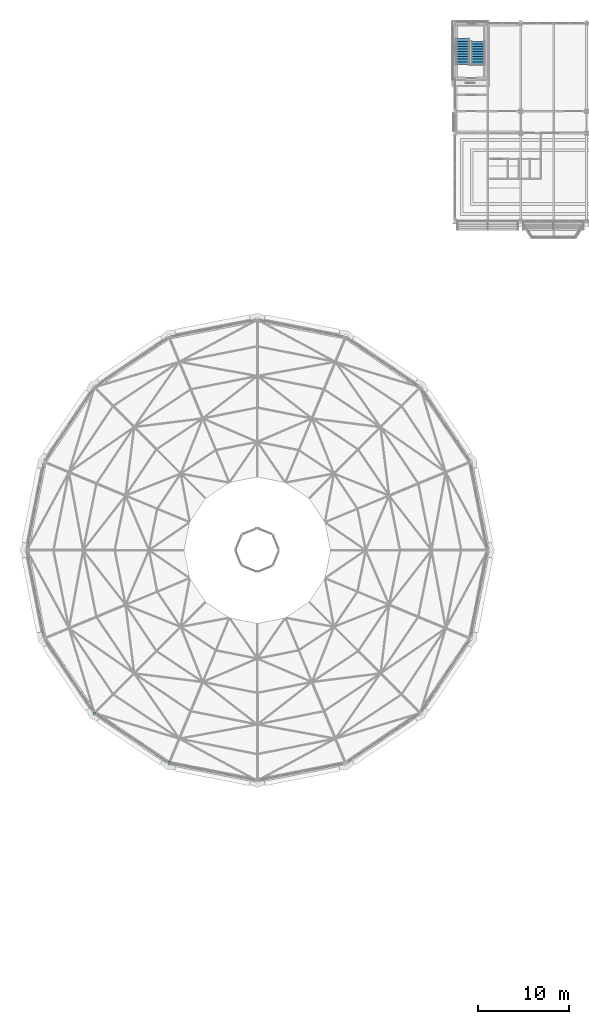
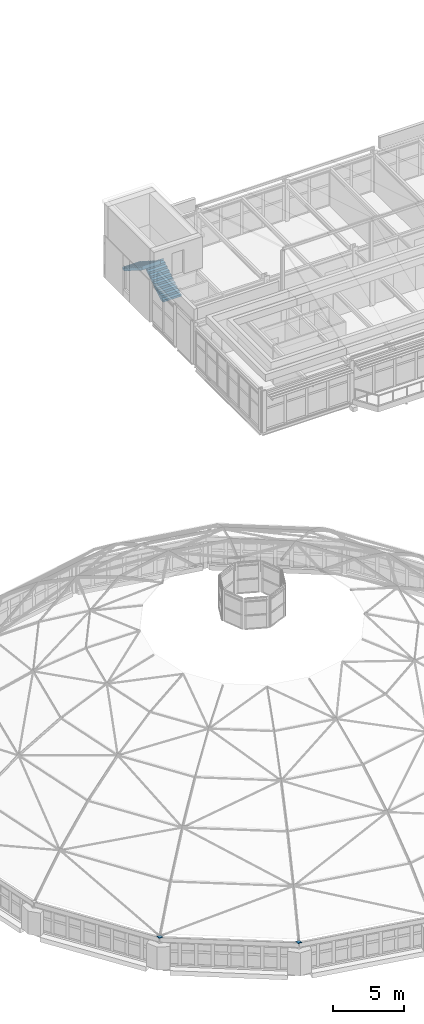
# One storey, part 53 of 68: 2 discrete accessories, 2 stair flights, 1 element without a shape of its own.
"""IFC4 building model written with IfcOpenShell, lengths in metres."""

from ifc_helpers import new_model, si_unit, direction, frame, origin, origin_2d, place, context, subcontext, project, spatial, polyline, rectangle, outline, extrude, material, layer, layer_set, type_object, element, aggregate, save


model = new_model("IFC4")

# Units and contexts
model_context = context("Model", 3, precision=1e-05, world=origin(), true_north=direction((0.0, 1.0)))
body_context = subcontext(model_context, "Body", "Model", "MODEL_VIEW")
ifc_project = project(units=[si_unit("LENGTHUNIT", "METRE"), si_unit("AREAUNIT", "SQUARE_METRE"), si_unit("VOLUMEUNIT", "CUBIC_METRE"), si_unit("PLANEANGLEUNIT", "RADIAN"), si_unit("MASSUNIT", "GRAM", prefix="KILO")], contexts=[model_context])

# Site, building, storey
site_placement = place(None, origin())
site = spatial("IfcSite", under=ifc_project, at=site_placement, CompositionType="ELEMENT")
building_placement = place(site_placement, origin())
building = spatial("IfcBuilding", under=site, at=building_placement, Name="Kupolbacken Congress Centre", CompositionType="ELEMENT")
storey_placement = place(building_placement, frame((0.0, 0.0, 25.199951171875)))
storey = spatial("IfcBuildingStorey", under=building, at=storey_placement, Name="L07", CompositionType="ELEMENT", Elevation=25.199951171875)

# Stair, stair flights
ifc_material_1 = material(Name="Steel S355", Category="steel")
stair_type = type_object("IfcStairType", Name="ST2 stair 1500", PredefinedType="TWO_STRAIGHT_RUN_STAIR", material=ifc_material_1)
stair_placement = place(storey_placement, origin())
stair = element("IfcStair", 1, at=stair_placement, inside=storey, type_object=stair_type, Name="C/stair/TS3/L07", PredefinedType="NOTDEFINED")
ifc_material_2 = material(Name="Steel S355", Category="steel")
stair_flight_type_1 = type_object("IfcStairFlightType", Name="FL19 stair flight 1500 x 10 risers of 177.1", PredefinedType="STRAIGHT", material=ifc_material_2)
stair_flight_1_placement = place(storey_placement, frame((67.35009765625, 139.530029296875, 0.0), z_axis=(0.0, 0.0, 1.0), x_axis=(0.0, 1.0, 0.0)))
stair_flight_1 = element("IfcStairFlight", 2, at=stair_flight_1_placement, type_object=stair_flight_type_1, Name="TS3 flight 1", NumberOfRisers=10, NumberOfTreads=9, PredefinedType="STRAIGHT", RiserHeight=0.177142857, TreadLength=0.28, context=body_context, shape_type="SweptSolid", body=[
    extrude(outline(polyline([(0.0, 0.0), (0.0, 0.001220703125), (0.0, 0.002197265625), (0.0, 0.00341796875), (0.0, 0.00439453125), (0.0, 0.005615234375), (0.0, 0.006591796875), (0.0, 0.0078125), (0.0, 0.0087890625), (0.0, 0.010009765625), (0.0, 0.010986328125), (0.0, 0.01220703125), (0.0, 0.01318359375), (0.0, 0.014404296875), (0.0, 0.015380859375), (0.0, 0.0166015625), (0.0, 0.017578125), (0.0, 0.018798828125), (0.0, 0.019775390625), (0.0, 0.02099609375), (0.0, 0.02197265625), (0.0, 0.023193359375), (0.0, 0.024169921875), (0.0, 0.025390625), (0.0, 0.0263671875), (0.0, 0.027587890625), (0.0, 0.028564453125), (0.0, 0.02978515625), (0.0, 0.03076171875), (0.0, 0.031982421875), (0.0, 0.032958984375), (0.0, 0.0341796875), (0.0, 0.03515625), (0.0, 0.036376953125), (0.0, 0.037353515625), (0.0, 0.03857421875), (0.0, 0.03955078125), (0.0, 0.040771484375), (0.0, 0.041748046875), (0.0, 0.04296875), (0.0, 0.0439453125), (0.0, 0.045166015625), (0.0, 0.046142578125), (0.0, 0.04736328125), (0.0, 0.04833984375), (0.0, 0.049560546875), (0.0, 0.050537109375), (0.0, 0.0517578125), (0.0, 0.052734375), (0.0, 0.053955078125), (0.0, 0.054931640625), (0.0, 0.05615234375), (0.0, 0.05712890625), (0.0, 0.058349609375), (0.0, 0.059326171875), (0.0, 0.060546875), (0.0, 0.0615234375), (0.0, 0.062744140625), (0.0, 0.063720703125), (0.0, 0.06494140625), (0.0, 0.06591796875), (0.0, 0.067138671875), (0.0, 0.068115234375), (0.0, 0.0693359375), (0.0, 0.0703125), (0.0, 0.071533203125), (0.0, 0.072509765625), (0.0, 0.07373046875), (0.0, 0.07470703125), (0.0, 0.075927734375), (0.0, 0.076904296875), (0.0, 0.078125), (0.0, 0.0791015625), (0.0, 0.080322265625), (0.0, 0.081298828125), (0.0, 0.08251953125), (0.0, 0.083740234375), (0.0, 0.084716796875), (0.0, 0.0859375), (0.0, 0.0869140625), (0.0, 0.088134765625), (0.0, 0.089111328125), (0.0, 0.09033203125), (0.0, 0.09130859375), (0.0, 0.092529296875), (0.0, 0.093505859375), (0.0, 0.0947265625), (0.0, 0.095703125), (0.0, 0.096923828125), (0.0, 0.097900390625), (0.0, 0.09912109375), (0.0, 0.10009765625), (0.0, 0.101318359375), (0.0, 0.102294921875), (0.0, 0.103515625), (0.0, 0.1044921875), (0.0, 0.105712890625), (0.0, 0.106689453125), (0.0, 0.10791015625), (0.0, 0.10888671875), (0.0, 0.110107421875), (0.0, 0.111083984375), (0.0, 0.1123046875), (0.0, 0.11328125), (0.0, 0.114501953125), (0.0, 0.115478515625), (0.0, 0.11669921875), (0.0, 0.11767578125), (0.0, 0.118896484375), (0.0, 0.119873046875), (0.0, 0.12109375), (0.0, 0.1220703125), (0.0, 0.123291015625), (0.0, 0.124267578125), (0.0, 0.12548828125), (0.0, 0.12646484375), (0.0, 0.127685546875), (0.0, 0.128662109375), (0.0, 0.1298828125), (0.0, 0.130859375), (0.0, 0.132080078125), (0.0, 0.133056640625), (0.0, 0.13427734375), (0.0, 0.13525390625), (0.0, 0.136474609375), (0.0, 0.137451171875), (0.0, 0.138671875), (0.0, 0.1396484375), (0.0, 0.140869140625), (0.0, 0.141845703125), (0.0, 0.14306640625), (0.0, 0.14404296875), (0.0, 0.145263671875), (0.0, 0.146240234375), (0.0, 0.1474609375), (0.0, 0.1484375), (0.0, 0.149658203125), (0.0, 0.150634765625), (0.0, 0.15185546875), (0.0, 0.15283203125), (0.0, 0.154052734375), (0.0, 0.155029296875), (0.0, 0.15625), (0.0, 0.1572265625), (0.0, 0.158447265625), (0.0, 0.159423828125), (0.0, 0.16064453125), (0.0, 0.16162109375), (0.0, 0.162841796875), (0.0, 0.163818359375), (0.0, 0.1650390625), (0.0, 0.166259765625), (0.0, 0.167236328125), (0.0, 0.16845703125), (0.0, 0.16943359375), (0.0, 0.170654296875), (0.0, 0.171630859375), (0.0, 0.1728515625), (0.0, 0.173828125), (0.0, 0.175048828125), (0.0, 0.176025390625), (0.0, 0.17724609375), (0.280029296875, 0.17724609375), (0.280029296875, 0.354248046875), (0.56005859375, 0.354248046875), (0.56005859375, 0.531494140625), (0.840087890625, 0.531494140625), (0.840087890625, 0.70849609375), (1.1201171875, 0.70849609375), (1.1201171875, 0.8857421875), (1.39990234375, 0.8857421875), (1.39990234375, 1.062744140625), (1.679931640625, 1.062744140625), (1.679931640625, 1.239990234375), (1.9599609375, 1.239990234375), (1.9599609375, 1.417236328125), (2.239990234375, 1.417236328125), (2.239990234375, 1.59423828125), (2.52001953125, 1.59423828125), (2.52001953125, 1.771484375), (2.52197265625, 1.771484375), (2.52197265625, 1.769287109375), (2.52197265625, 1.76708984375), (2.52197265625, 1.764892578125), (2.52197265625, 1.7626953125), (2.52197265625, 1.760498046875), (2.52197265625, 1.75830078125), (2.52197265625, 1.756103515625), (2.52197265625, 1.75390625), (2.52197265625, 1.751708984375), (2.52197265625, 1.74951171875), (2.52197265625, 1.747314453125), (2.52197265625, 1.7451171875), (2.52197265625, 1.742919921875), (2.52197265625, 1.740478515625), (2.52197265625, 1.73828125), (2.52197265625, 1.736083984375), (2.52197265625, 1.73388671875), (2.52197265625, 1.731689453125), (2.52197265625, 1.7294921875), (2.52197265625, 1.727294921875), (2.52197265625, 1.72509765625), (2.52197265625, 1.722900390625), (2.52197265625, 1.720703125), (2.52197265625, 1.718505859375), (2.52197265625, 1.71630859375), (2.52197265625, 1.714111328125), (2.52197265625, 1.7119140625), (2.52197265625, 1.709716796875), (2.52197265625, 1.70751953125), (2.52197265625, 1.705322265625), (2.52197265625, 1.703125), (2.52197265625, 1.700927734375), (2.52197265625, 1.69873046875), (2.52197265625, 1.696533203125), (2.52197265625, 1.6943359375), (2.52197265625, 1.692138671875), (2.52197265625, 1.68994140625), (2.52197265625, 1.687744140625), (2.52197265625, 1.685546875), (2.52197265625, 1.683349609375), (2.52197265625, 1.68115234375), (2.52197265625, 1.678955078125), (2.52197265625, 1.6767578125), (2.52197265625, 1.674560546875), (2.52197265625, 1.67236328125), (2.52197265625, 1.670166015625), (2.52197265625, 1.66796875), (2.52197265625, 1.665771484375), (2.52197265625, 1.66357421875), (2.52197265625, 1.661376953125), (2.52197265625, 1.6591796875), (2.52197265625, 1.656982421875), (2.52197265625, 1.65478515625), (2.52197265625, 1.652587890625), (2.52197265625, 1.650390625), (2.52197265625, 1.648193359375), (2.52197265625, 1.64599609375), (2.52197265625, 1.643798828125), (2.52197265625, 1.6416015625), (2.52197265625, 1.639404296875), (2.52197265625, 1.63720703125), (2.52197265625, 1.635009765625), (2.52197265625, 1.6328125), (2.52197265625, 1.630615234375), (2.52197265625, 1.62841796875), (2.52197265625, 1.6259765625), (2.52197265625, 1.623779296875), (2.52197265625, 1.62158203125), (2.52197265625, 1.619384765625), (2.52197265625, 1.6171875), (2.52197265625, 1.614990234375), (2.52197265625, 1.61279296875), (2.52197265625, 1.610595703125), (2.52197265625, 1.6083984375), (2.52197265625, 1.606201171875), (2.52197265625, 1.60400390625), (2.52197265625, 1.601806640625), (2.52197265625, 1.599609375), (2.52197265625, 1.597412109375), (2.52197265625, 1.59521484375), (2.52197265625, 1.593017578125), (2.52197265625, 1.5908203125), (2.52197265625, 1.588623046875), (2.52197265625, 1.58642578125), (2.52197265625, 1.584228515625), (2.52197265625, 1.58203125), (2.52197265625, 1.579833984375), (2.52197265625, 1.57763671875), (2.52197265625, 1.575439453125), (2.52197265625, 1.5732421875), (2.52197265625, 1.571044921875), (2.52197265625, 1.56884765625), (2.52197265625, 1.566650390625), (2.52197265625, 1.564453125), (2.52197265625, 1.562255859375), (2.52197265625, 1.56005859375), (2.52197265625, 1.557861328125), (2.52197265625, 1.5556640625), (2.52197265625, 1.553466796875), (2.52197265625, 1.55126953125), (2.52197265625, 1.549072265625), (2.52197265625, 1.546875), (2.52197265625, 1.544677734375), (2.52197265625, 1.54248046875), (2.52197265625, 1.540283203125), (2.52197265625, 1.5380859375), (2.52197265625, 1.535888671875), (2.52197265625, 1.53369140625), (2.52197265625, 1.531494140625), (2.52197265625, 1.529296875), (2.52197265625, 1.527099609375), (2.52197265625, 1.52490234375), (2.52197265625, 1.522705078125), (2.52197265625, 1.5205078125), (2.52197265625, 1.518310546875), (2.52197265625, 1.51611328125), (2.52197265625, 1.513671875), (2.52197265625, 1.511474609375), (2.52197265625, 1.50927734375), (2.52197265625, 1.507080078125), (2.52197265625, 1.5048828125), (2.52197265625, 1.502685546875), (2.52197265625, 1.50048828125), (2.52197265625, 1.498291015625), (2.52197265625, 1.49609375), (2.52197265625, 1.493896484375), (2.52197265625, 1.49169921875), (2.52197265625, 1.489501953125), (2.52197265625, 1.4873046875), (2.52197265625, 1.485107421875), (2.52197265625, 1.48291015625), (2.52197265625, 1.480712890625), (2.52197265625, 1.478515625), (2.52197265625, 1.476318359375), (2.52197265625, 1.47412109375), (2.52197265625, 1.471923828125), (2.52197265625, 1.4697265625), (2.52197265625, 1.467529296875), (2.52197265625, 1.46533203125), (2.52197265625, 1.463134765625), (2.52197265625, 1.4609375), (2.52197265625, 1.458740234375), (2.52197265625, 1.45654296875), (2.52197265625, 1.454345703125), (2.52197265625, 1.4521484375), (2.52197265625, 1.449951171875), (2.52197265625, 1.44775390625), (2.52197265625, 1.445556640625), (2.52197265625, 1.443359375), (2.52197265625, 1.441162109375), (2.52197265625, 1.43896484375), (2.52197265625, 1.436767578125), (2.52197265625, 1.4345703125), (2.52197265625, 1.432373046875), (2.52197265625, 1.43017578125), (2.52197265625, 1.427978515625), (2.52197265625, 1.42578125), (2.52197265625, 1.423583984375), (2.52197265625, 1.42138671875), (2.52197265625, 1.419189453125), (2.52197265625, 1.4169921875), (0.282470703125, 0.0), (0.0, 0.0)])), frame((0.0, 0.75, 0.0), z_axis=(0.0, -1.0, 0.0), x_axis=(1.0, 0.0, 0.0)), (0.0, 0.0, 1.0), 1.5),
])
ifc_material_3 = material(Name="Steel S355", Category="steel")
stair_flight_type_2 = type_object("IfcStairFlightType", Name="FL20 stair flight 1500 x 11 risers of 177.1", PredefinedType="STRAIGHT", material=ifc_material_3)
stair_flight_2_placement = place(storey_placement, frame((65.64990234375, 142.330078125, 1.771484375), z_axis=(0.0, 0.0, 1.0), x_axis=(0.0, -1.0, 0.0)))
stair_flight_2 = element("IfcStairFlight", 3, at=stair_flight_2_placement, type_object=stair_flight_type_2, Name="TS3 flight 2", NumberOfRisers=11, NumberOfTreads=10, PredefinedType="STRAIGHT", RiserHeight=0.177142857, TreadLength=0.28, context=body_context, shape_type="SweptSolid", body=[
    extrude(outline(polyline([(0.0, 0.0), (0.0, 0.001220703125), (0.0, 0.002197265625), (0.0, 0.00341796875), (0.0, 0.00439453125), (0.0, 0.005615234375), (0.0, 0.006591796875), (0.0, 0.0078125), (0.0, 0.0087890625), (0.0, 0.010009765625), (0.0, 0.010986328125), (0.0, 0.01220703125), (0.0, 0.01318359375), (0.0, 0.014404296875), (0.0, 0.015380859375), (0.0, 0.0166015625), (0.0, 0.017578125), (0.0, 0.018798828125), (0.0, 0.019775390625), (0.0, 0.02099609375), (0.0, 0.02197265625), (0.0, 0.023193359375), (0.0, 0.024169921875), (0.0, 0.025390625), (0.0, 0.0263671875), (0.0, 0.027587890625), (0.0, 0.028564453125), (0.0, 0.02978515625), (0.0, 0.03076171875), (0.0, 0.031982421875), (0.0, 0.032958984375), (0.0, 0.0341796875), (0.0, 0.03515625), (0.0, 0.036376953125), (0.0, 0.037353515625), (0.0, 0.03857421875), (0.0, 0.03955078125), (0.0, 0.040771484375), (0.0, 0.041748046875), (0.0, 0.04296875), (0.0, 0.0439453125), (0.0, 0.045166015625), (0.0, 0.046142578125), (0.0, 0.04736328125), (0.0, 0.04833984375), (0.0, 0.049560546875), (0.0, 0.050537109375), (0.0, 0.0517578125), (0.0, 0.052734375), (0.0, 0.053955078125), (0.0, 0.054931640625), (0.0, 0.05615234375), (0.0, 0.05712890625), (0.0, 0.058349609375), (0.0, 0.059326171875), (0.0, 0.060546875), (0.0, 0.0615234375), (0.0, 0.062744140625), (0.0, 0.063720703125), (0.0, 0.06494140625), (0.0, 0.06591796875), (0.0, 0.067138671875), (0.0, 0.068115234375), (0.0, 0.0693359375), (0.0, 0.0703125), (0.0, 0.071533203125), (0.0, 0.072509765625), (0.0, 0.07373046875), (0.0, 0.07470703125), (0.0, 0.075927734375), (0.0, 0.076904296875), (0.0, 0.078125), (0.0, 0.0791015625), (0.0, 0.080322265625), (0.0, 0.081298828125), (0.0, 0.08251953125), (0.0, 0.083740234375), (0.0, 0.084716796875), (0.0, 0.0859375), (0.0, 0.0869140625), (0.0, 0.088134765625), (0.0, 0.089111328125), (0.0, 0.09033203125), (0.0, 0.09130859375), (0.0, 0.092529296875), (0.0, 0.093505859375), (0.0, 0.0947265625), (0.0, 0.095703125), (0.0, 0.096923828125), (0.0, 0.097900390625), (0.0, 0.09912109375), (0.0, 0.10009765625), (0.0, 0.101318359375), (0.0, 0.102294921875), (0.0, 0.103515625), (0.0, 0.1044921875), (0.0, 0.105712890625), (0.0, 0.106689453125), (0.0, 0.10791015625), (0.0, 0.10888671875), (0.0, 0.110107421875), (0.0, 0.111083984375), (0.0, 0.1123046875), (0.0, 0.11328125), (0.0, 0.114501953125), (0.0, 0.115478515625), (0.0, 0.11669921875), (0.0, 0.11767578125), (0.0, 0.118896484375), (0.0, 0.119873046875), (0.0, 0.12109375), (0.0, 0.1220703125), (0.0, 0.123291015625), (0.0, 0.124267578125), (0.0, 0.12548828125), (0.0, 0.12646484375), (0.0, 0.127685546875), (0.0, 0.128662109375), (0.0, 0.1298828125), (0.0, 0.130859375), (0.0, 0.132080078125), (0.0, 0.133056640625), (0.0, 0.13427734375), (0.0, 0.13525390625), (0.0, 0.136474609375), (0.0, 0.137451171875), (0.0, 0.138671875), (0.0, 0.1396484375), (0.0, 0.140869140625), (0.0, 0.141845703125), (0.0, 0.14306640625), (0.0, 0.14404296875), (0.0, 0.145263671875), (0.0, 0.146240234375), (0.0, 0.1474609375), (0.0, 0.1484375), (0.0, 0.149658203125), (0.0, 0.150634765625), (0.0, 0.15185546875), (0.0, 0.15283203125), (0.0, 0.154052734375), (0.0, 0.155029296875), (0.0, 0.15625), (0.0, 0.1572265625), (0.0, 0.158447265625), (0.0, 0.159423828125), (0.0, 0.16064453125), (0.0, 0.16162109375), (0.0, 0.162841796875), (0.0, 0.163818359375), (0.0, 0.1650390625), (0.0, 0.166259765625), (0.0, 0.167236328125), (0.0, 0.16845703125), (0.0, 0.16943359375), (0.0, 0.170654296875), (0.0, 0.171630859375), (0.0, 0.1728515625), (0.0, 0.173828125), (0.0, 0.175048828125), (0.0, 0.176025390625), (0.0, 0.17724609375), (0.280029296875, 0.17724609375), (0.280029296875, 0.354248046875), (0.56005859375, 0.354248046875), (0.56005859375, 0.531494140625), (0.840087890625, 0.531494140625), (0.840087890625, 0.70849609375), (1.1201171875, 0.70849609375), (1.1201171875, 0.8857421875), (1.39990234375, 0.8857421875), (1.39990234375, 1.062744140625), (1.679931640625, 1.062744140625), (1.679931640625, 1.239990234375), (1.9599609375, 1.239990234375), (1.9599609375, 1.417236328125), (2.239990234375, 1.417236328125), (2.239990234375, 1.59423828125), (2.52001953125, 1.59423828125), (2.52001953125, 1.771484375), (2.800048828125, 1.771484375), (2.800048828125, 1.948486328125), (2.802001953125, 1.948486328125), (2.802001953125, 1.9462890625), (2.802001953125, 1.944091796875), (2.802001953125, 1.94189453125), (2.802001953125, 1.939697265625), (2.802001953125, 1.9375), (2.802001953125, 1.935302734375), (2.802001953125, 1.93310546875), (2.802001953125, 1.930908203125), (2.802001953125, 1.9287109375), (2.802001953125, 1.926513671875), (2.802001953125, 1.92431640625), (2.802001953125, 1.922119140625), (2.802001953125, 1.919921875), (2.802001953125, 1.917724609375), (2.802001953125, 1.91552734375), (2.802001953125, 1.913330078125), (2.802001953125, 1.9111328125), (2.802001953125, 1.908935546875), (2.802001953125, 1.90673828125), (2.802001953125, 1.904541015625), (2.802001953125, 1.90234375), (2.802001953125, 1.900146484375), (2.802001953125, 1.89794921875), (2.802001953125, 1.895751953125), (2.802001953125, 1.8935546875), (2.802001953125, 1.891357421875), (2.802001953125, 1.88916015625), (2.802001953125, 1.886962890625), (2.802001953125, 1.884765625), (2.802001953125, 1.882568359375), (2.802001953125, 1.88037109375), (2.802001953125, 1.878173828125), (2.802001953125, 1.8759765625), (2.802001953125, 1.873779296875), (2.802001953125, 1.87158203125), (2.802001953125, 1.869384765625), (2.802001953125, 1.8671875), (2.802001953125, 1.864990234375), (2.802001953125, 1.86279296875), (2.802001953125, 1.860595703125), (2.802001953125, 1.8583984375), (2.802001953125, 1.856201171875), (2.802001953125, 1.85400390625), (2.802001953125, 1.8515625), (2.802001953125, 1.849365234375), (2.802001953125, 1.84716796875), (2.802001953125, 1.844970703125), (2.802001953125, 1.8427734375), (2.802001953125, 1.840576171875), (2.802001953125, 1.83837890625), (2.802001953125, 1.836181640625), (2.802001953125, 1.833984375), (2.802001953125, 1.831787109375), (2.802001953125, 1.82958984375), (2.802001953125, 1.827392578125), (2.802001953125, 1.8251953125), (2.802001953125, 1.822998046875), (2.802001953125, 1.82080078125), (2.802001953125, 1.818603515625), (2.802001953125, 1.81640625), (2.802001953125, 1.814208984375), (2.802001953125, 1.81201171875), (2.802001953125, 1.809814453125), (2.802001953125, 1.8076171875), (2.802001953125, 1.805419921875), (2.802001953125, 1.80322265625), (2.802001953125, 1.801025390625), (2.802001953125, 1.798828125), (2.802001953125, 1.796630859375), (2.802001953125, 1.79443359375), (2.802001953125, 1.792236328125), (2.802001953125, 1.7900390625), (2.802001953125, 1.787841796875), (2.802001953125, 1.78564453125), (2.802001953125, 1.783447265625), (2.802001953125, 1.78125), (2.802001953125, 1.779052734375), (2.802001953125, 1.77685546875), (2.802001953125, 1.774658203125), (2.802001953125, 1.7724609375), (2.802001953125, 1.770263671875), (2.802001953125, 1.76806640625), (2.802001953125, 1.765869140625), (2.802001953125, 1.763671875), (2.802001953125, 1.761474609375), (2.802001953125, 1.75927734375), (2.802001953125, 1.757080078125), (2.802001953125, 1.7548828125), (2.802001953125, 1.752685546875), (2.802001953125, 1.75048828125), (2.802001953125, 1.748291015625), (2.802001953125, 1.74609375), (2.802001953125, 1.743896484375), (2.802001953125, 1.74169921875), (2.802001953125, 1.7392578125), (2.802001953125, 1.737060546875), (2.802001953125, 1.73486328125), (2.802001953125, 1.732666015625), (2.802001953125, 1.73046875), (2.802001953125, 1.728271484375), (2.802001953125, 1.72607421875), (2.802001953125, 1.723876953125), (2.802001953125, 1.7216796875), (2.802001953125, 1.719482421875), (2.802001953125, 1.71728515625), (2.802001953125, 1.715087890625), (2.802001953125, 1.712890625), (2.802001953125, 1.710693359375), (2.802001953125, 1.70849609375), (2.802001953125, 1.706298828125), (2.802001953125, 1.7041015625), (2.802001953125, 1.701904296875), (2.802001953125, 1.69970703125), (2.802001953125, 1.697509765625), (2.802001953125, 1.6953125), (2.802001953125, 1.693115234375), (2.802001953125, 1.69091796875), (2.802001953125, 1.688720703125), (2.802001953125, 1.6865234375), (2.802001953125, 1.684326171875), (2.802001953125, 1.68212890625), (2.802001953125, 1.679931640625), (2.802001953125, 1.677734375), (2.802001953125, 1.675537109375), (2.802001953125, 1.67333984375), (2.802001953125, 1.671142578125), (2.802001953125, 1.6689453125), (2.802001953125, 1.666748046875), (2.802001953125, 1.66455078125), (2.802001953125, 1.662353515625), (2.802001953125, 1.66015625), (2.802001953125, 1.657958984375), (2.802001953125, 1.65576171875), (2.802001953125, 1.653564453125), (2.802001953125, 1.6513671875), (2.802001953125, 1.649169921875), (2.802001953125, 1.64697265625), (2.802001953125, 1.644775390625), (2.802001953125, 1.642578125), (2.802001953125, 1.640380859375), (2.802001953125, 1.63818359375), (2.802001953125, 1.635986328125), (2.802001953125, 1.6337890625), (2.802001953125, 1.631591796875), (2.802001953125, 1.62939453125), (2.802001953125, 1.627197265625), (2.802001953125, 1.624755859375), (2.802001953125, 1.62255859375), (2.802001953125, 1.620361328125), (2.802001953125, 1.6181640625), (2.802001953125, 1.615966796875), (2.802001953125, 1.61376953125), (2.802001953125, 1.611572265625), (2.802001953125, 1.609375), (2.802001953125, 1.607177734375), (2.802001953125, 1.60498046875), (2.802001953125, 1.602783203125), (2.802001953125, 1.6005859375), (2.802001953125, 1.598388671875), (2.802001953125, 1.59619140625), (2.802001953125, 1.593994140625), (0.282470703125, 0.0), (0.0, 0.0)])), frame((0.0, 0.75, 0.0), z_axis=(0.0, -1.0, 0.0), x_axis=(1.0, 0.0, 0.0)), (0.0, 0.0, 1.0), 1.5),
])
aggregate(stair, [stair_flight_1, stair_flight_2])

# Discrete accessories
ifc_material_4 = material(Name="Steel S355", Category="steel")
ifc_layer = layer(ifc_material_4, 0.011962890625)
ifc_layer_set = layer_set([ifc_layer], Name="Steel S355")
discrete_accessory_type = type_object("IfcDiscreteAccessoryType", Name="BK5 rib foot plate 300 x 300 x 12", PredefinedType="BRACKET", material=ifc_layer_set)
for number, where, z_axis, x_axis, name in (
    (4, (25.380859375, 68.580810546875, 2.7900390625), (0.0, 0.0, 1.0), (1.0, 0.0, 0.0), "Dome rib foot plate RIB01-11"),
    (5, (33.556396484375, 63.1181640625, 2.7900390625), (0.0, 0.0, 1.0), (1.0, 0.0, 0.0), "Dome rib foot plate RIB01-12"),
):
    element("IfcDiscreteAccessory", number, at=place(storey_placement, frame(where, z_axis=z_axis, x_axis=x_axis)), inside=storey, type_object=discrete_accessory_type, Name=name, PredefinedType="BRACKET", context=body_context, shape_type="SweptSolid", body=[
        extrude(rectangle(XDim=0.300048828125, YDim=0.300048828125, at=origin_2d()), origin(), (0.0, 0.0, 1.0), 0.011962890625),
    ])

save(model, "model.ifc")
